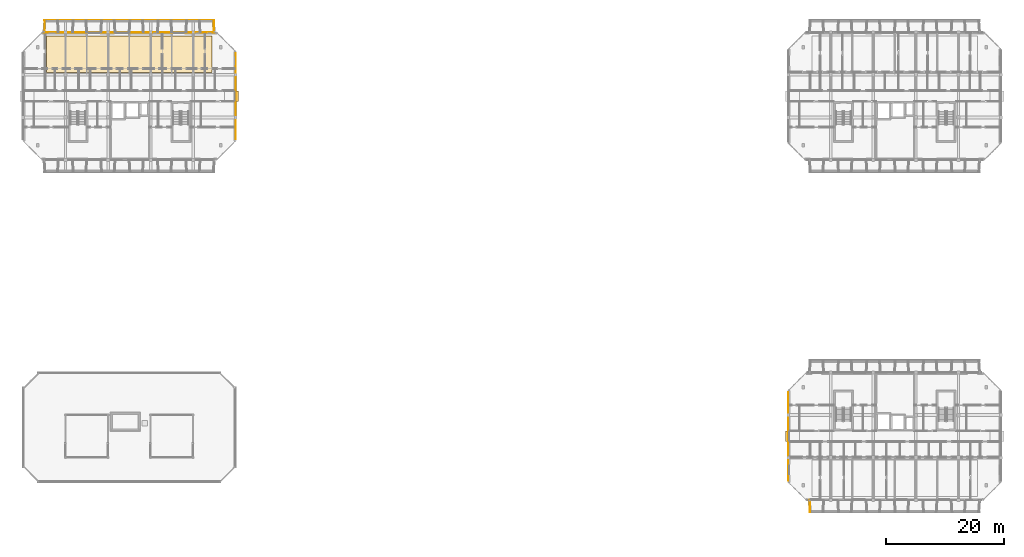
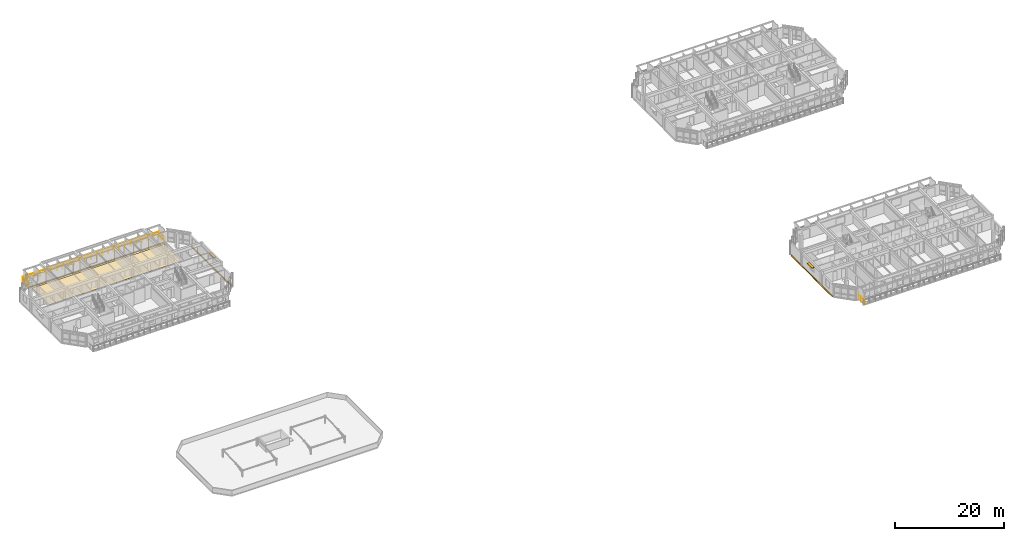
# One storey, part 38 of 43: 4 coverings, 4 railings, 2 shading devices.
"""IFC4 building model written with IfcOpenShell, lengths in metres."""

from ifc_helpers import new_model, si_unit, direction, frame, origin, origin_2d, place, context, subcontext, project, spatial, polyline, rectangle, circle, outline, extrude, material, layer, layer_set, type_object, element, save


model = new_model("IFC4")

# Units and contexts
model_context = context("Model", 3, precision=1e-05, world=origin(), true_north=direction((0.0, 1.0)))
body_context = subcontext(model_context, "Body", "Model", "MODEL_VIEW")
ifc_project = project(units=[si_unit("LENGTHUNIT", "METRE"), si_unit("AREAUNIT", "SQUARE_METRE"), si_unit("VOLUMEUNIT", "CUBIC_METRE"), si_unit("PLANEANGLEUNIT", "RADIAN"), si_unit("MASSUNIT", "GRAM", prefix="KILO")], contexts=[model_context])

# Site, building, storey
site_placement = place(None, origin())
site = spatial("IfcSite", under=ifc_project, at=site_placement, CompositionType="ELEMENT")
building_placement = place(site_placement, origin())
building = spatial("IfcBuilding", under=site, at=building_placement, Name="Ochrevale Crest", CompositionType="ELEMENT")
storey_placement = place(building_placement, frame((0.0, 0.0, 30.75)))
storey = spatial("IfcBuildingStorey", under=building, at=storey_placement, Name="L09", CompositionType="ELEMENT", Elevation=30.75)

# Coverings
ifc_material_1 = material(Name="Glazed terracotta rainscreen tile", Category="masonry")
ifc_layer_1 = layer(ifc_material_1, 0.048095703125)
ifc_layer_set_1 = layer_set([ifc_layer_1], Name="Glazed terracotta rainscreen tile")
covering_type_1 = type_object("IfcCoveringType", Name="COV-CLAD-TER", PredefinedType="CLADDING", material=ifc_layer_set_1)
covering_1_placement = place(storey_placement, frame((36.014404296875, 82.800048828125, -0.26025390625), z_axis=(0.0, 0.0, 1.0), x_axis=(0.0, 1.0, 0.0)))
element("IfcCovering", 1, at=covering_1_placement, inside=storey, type_object=covering_type_1, Name="Block B L09 terracotta slab-edge spandrel cladding", PredefinedType="CLADDING", context=body_context, shape_type="SweptSolid", body=[
    extrude(rectangle(XDim=14.60009765625, YDim=0.06005859375, at=origin_2d()), origin(), (0.0, 0.0, 1.0), 0.280029296875),
])
covering_2_placement = place(storey_placement, frame((18.0, 93.612548828125, -0.26025390625), z_axis=(0.0, 0.0, 1.0), x_axis=(-1.0, 0.0, 0.0)))
element("IfcCovering", 2, at=covering_2_placement, inside=storey, type_object=covering_type_1, Name="Block B L09 terracotta slab-edge spandrel cladding", PredefinedType="CLADDING", context=body_context, shape_type="SweptSolid", body=[
    extrude(rectangle(XDim=29.0, YDim=0.06005859375, at=origin_2d()), origin(), (0.0, 0.0, 1.0), 0.280029296875),
])
covering_3_placement = place(storey_placement, frame((129.58544921875, 25.199951171875, -0.26025390625), z_axis=(0.0, 0.0, 1.0), x_axis=(0.0, -1.0, 0.0)))
element("IfcCovering", 3, at=covering_3_placement, inside=storey, type_object=covering_type_1, Name="Block C L09 terracotta slab-edge spandrel cladding", PredefinedType="CLADDING", context=body_context, shape_type="SweptSolid", body=[
    extrude(rectangle(XDim=15.0, YDim=0.06005859375, at=origin_2d()), origin(), (0.0, 0.0, 1.0), 0.280029296875),
])
ifc_material_2 = material(Name="Engineered spotted-gum hardwood flooring", Category="wood")
ifc_layer_2 = layer(ifc_material_2, 0.02001953125)
ifc_layer_set_2 = layer_set([ifc_layer_2], Name="Engineered spotted-gum hardwood flooring")
covering_type_2 = type_object("IfcCoveringType", Name="COV-FLR-TIM", PredefinedType="FLOORING", material=ifc_layer_set_2)
covering_4_placement = place(storey_placement, origin())
element("IfcCovering", 4, at=covering_4_placement, inside=storey, type_object=covering_type_2, Name="Block B L09 spotted-gum apartment flooring", PredefinedType="FLOORING", context=body_context, shape_type="SweptSolid", body=[
    extrude(outline(polyline([(4.0, 86.800048828125), (32.0, 86.800048828125), (32.0, 93.0), (4.0, 93.0), (4.0, 86.800048828125)])), origin(), (0.0, 0.0, 1.0), 0.02001953125),
])

# Railings
ifc_material_3 = material(Name="Galvanised steel", Category="steel")
railing_type = type_object("IfcRailingType", Name="RL-BAL-1100", PredefinedType="BALUSTRADE", material=ifc_material_3)
railing_1_placement = place(storey_placement, frame((3.60009765625, 95.639892578125, 0.0)))
element("IfcRailing", 5, at=railing_1_placement, inside=storey, type_object=railing_type, Name="Block B L09 N balcony front balustrade", PredefinedType="BALUSTRADE", context=body_context, shape_type="SweptSolid", body=[
    extrude(circle(Radius=0.02392578125, at=origin_2d()), frame((0.0, 0.0, 1.0859375), z_axis=(1.0, 0.0, 0.0), x_axis=(0.0, 1.0, 0.0)), (0.0, 0.0, 1.0), 28.7998046875),
    extrude(circle(Radius=0.02099609375, at=origin_2d()), origin(), (0.0, 0.0, 1.0), 1.06201171875),
    extrude(circle(Radius=0.02099609375, at=origin_2d()), frame((1.199951171875, 0.0, 0.0)), (0.0, 0.0, 1.0), 1.06201171875),
    extrude(circle(Radius=0.02099609375, at=origin_2d()), frame((2.39990234375, 0.0, 0.0)), (0.0, 0.0, 1.0), 1.06201171875),
    extrude(circle(Radius=0.02099609375, at=origin_2d()), frame((3.60009765625, 0.0, 0.0)), (0.0, 0.0, 1.0), 1.06201171875),
    extrude(circle(Radius=0.02099609375, at=origin_2d()), frame((4.800048828125, 0.0, 0.0)), (0.0, 0.0, 1.0), 1.06201171875),
    extrude(circle(Radius=0.02099609375, at=origin_2d()), frame((6.0, 0.0, 0.0)), (0.0, 0.0, 1.0), 1.06201171875),
    extrude(circle(Radius=0.02099609375, at=origin_2d()), frame((7.199951171875, 0.0, 0.0)), (0.0, 0.0, 1.0), 1.06201171875),
    extrude(circle(Radius=0.02099609375, at=origin_2d()), frame((8.39990234375, 0.0, 0.0)), (0.0, 0.0, 1.0), 1.06201171875),
    extrude(circle(Radius=0.02099609375, at=origin_2d()), frame((9.599853515625, 0.0, 0.0)), (0.0, 0.0, 1.0), 1.06201171875),
    extrude(circle(Radius=0.02099609375, at=origin_2d()), frame((10.7998046875, 0.0, 0.0)), (0.0, 0.0, 1.0), 1.06201171875),
    extrude(circle(Radius=0.02099609375, at=origin_2d()), frame((12.0, 0.0, 0.0)), (0.0, 0.0, 1.0), 1.06201171875),
    extrude(circle(Radius=0.02099609375, at=origin_2d()), frame((13.199951171875, 0.0, 0.0)), (0.0, 0.0, 1.0), 1.06201171875),
    extrude(circle(Radius=0.02099609375, at=origin_2d()), frame((14.39990234375, 0.0, 0.0)), (0.0, 0.0, 1.0), 1.06201171875),
    extrude(circle(Radius=0.02099609375, at=origin_2d()), frame((15.599853515625, 0.0, 0.0)), (0.0, 0.0, 1.0), 1.06201171875),
    extrude(circle(Radius=0.02099609375, at=origin_2d()), frame((16.7998046875, 0.0, 0.0)), (0.0, 0.0, 1.0), 1.06201171875),
    extrude(circle(Radius=0.02099609375, at=origin_2d()), frame((18.0, 0.0, 0.0)), (0.0, 0.0, 1.0), 1.06201171875),
    extrude(circle(Radius=0.02099609375, at=origin_2d()), frame((19.199951171875, 0.0, 0.0)), (0.0, 0.0, 1.0), 1.06201171875),
    extrude(circle(Radius=0.02099609375, at=origin_2d()), frame((20.39990234375, 0.0, 0.0)), (0.0, 0.0, 1.0), 1.06201171875),
    extrude(circle(Radius=0.02099609375, at=origin_2d()), frame((21.599853515625, 0.0, 0.0)), (0.0, 0.0, 1.0), 1.06201171875),
    extrude(circle(Radius=0.02099609375, at=origin_2d()), frame((22.7998046875, 0.0, 0.0)), (0.0, 0.0, 1.0), 1.06201171875),
    extrude(circle(Radius=0.02099609375, at=origin_2d()), frame((23.999755859375, 0.0, 0.0)), (0.0, 0.0, 1.0), 1.06201171875),
    extrude(circle(Radius=0.02099609375, at=origin_2d()), frame((25.19970703125, 0.0, 0.0)), (0.0, 0.0, 1.0), 1.06201171875),
    extrude(circle(Radius=0.02099609375, at=origin_2d()), frame((26.39990234375, 0.0, 0.0)), (0.0, 0.0, 1.0), 1.06201171875),
    extrude(circle(Radius=0.02099609375, at=origin_2d()), frame((27.599853515625, 0.0, 0.0)), (0.0, 0.0, 1.0), 1.06201171875),
    extrude(circle(Radius=0.02099609375, at=origin_2d()), frame((28.7998046875, 0.0, 0.0)), (0.0, 0.0, 1.0), 1.06201171875),
])
for number, where, name in (
    (6, (3.659912109375, 93.60009765625, 0.0), "Block B L09 N-W balcony side guard"),
    (7, (32.340087890625, 93.60009765625, 0.0), "Block B L09 N-E balcony side guard"),
):
    element("IfcRailing", number, at=place(storey_placement, frame(where)), inside=storey, type_object=railing_type, Name=name, PredefinedType="BALUSTRADE", context=body_context, shape_type="SweptSolid", body=[
        extrude(circle(Radius=0.02392578125, at=origin_2d()), frame((0.0, 0.0, 1.0859375), z_axis=(0.0, 1.0, 0.0), x_axis=(-1.0, 0.0, 0.0)), (0.0, 0.0, 1.0), 2.039794921875),
        extrude(circle(Radius=0.02099609375, at=origin_2d()), origin(), (0.0, 0.0, 1.0), 1.06201171875),
        extrude(circle(Radius=0.02099609375, at=origin_2d()), frame((0.0, 1.02001953125, 0.0)), (0.0, 0.0, 1.0), 1.06201171875),
        extrude(circle(Radius=0.02099609375, at=origin_2d()), frame((0.0, 2.039794921875, 0.0)), (0.0, 0.0, 1.0), 1.06201171875),
    ])
railing_2_placement = place(storey_placement, frame((133.260009765625, 14.39990234375, 0.0)))
element("IfcRailing", 8, at=railing_2_placement, inside=storey, type_object=railing_type, Name="Block C L09 S-W balcony side guard", PredefinedType="BALUSTRADE", context=body_context, shape_type="SweptSolid", body=[
    extrude(circle(Radius=0.02392578125, at=origin_2d()), frame((0.0, 0.0, 1.0859375), z_axis=(0.0, -1.0, 0.0), x_axis=(1.0, 0.0, 0.0)), (0.0, 0.0, 1.0), 2.039794921875),
    extrude(circle(Radius=0.02099609375, at=origin_2d()), origin(), (0.0, 0.0, 1.0), 1.06201171875),
    extrude(circle(Radius=0.02099609375, at=origin_2d()), frame((0.0, -1.02001953125, 0.0)), (0.0, 0.0, 1.0), 1.06201171875),
    extrude(circle(Radius=0.02099609375, at=origin_2d()), frame((0.0, -2.039794921875, 0.0)), (0.0, 0.0, 1.0), 1.06201171875),
])

# Shading devices
ifc_material_4 = material(Name="Anodised aluminium 6063-T5", Category="aluminium")
shading_device_type = type_object("IfcShadingDeviceType", Name="SHD-SUNSHADE-OC", PredefinedType="USERDEFINED", material=ifc_material_4)
for number, where, z_axis, x_axis, name in (
    (9, (36.239990234375, 82.800048828125, 2.2099609375), (0.0, 0.0, 1.0), (1.0, 0.0, 0.0), "Block B L09 gable window sunshade E"),
    (10, (129.360107421875, 25.199951171875, 2.2099609375), (0.0, 0.0, 1.0), (1.0, 0.0, 0.0), "Block C L09 gable window sunshade W"),
):
    element("IfcShadingDevice", number, at=place(storey_placement, frame(where, z_axis=z_axis, x_axis=x_axis)), inside=storey, type_object=shading_device_type, Name=name, ObjectType="HORIZONTAL SUNSHADE", PredefinedType="USERDEFINED", context=body_context, shape_type="SweptSolid", body=[
        extrude(rectangle(XDim=0.550048828125, YDim=1.800048828125, at=origin_2d()), origin(), (0.0, 0.0, 1.0), 0.139892578125),
    ])

save(model, "model.ifc")
